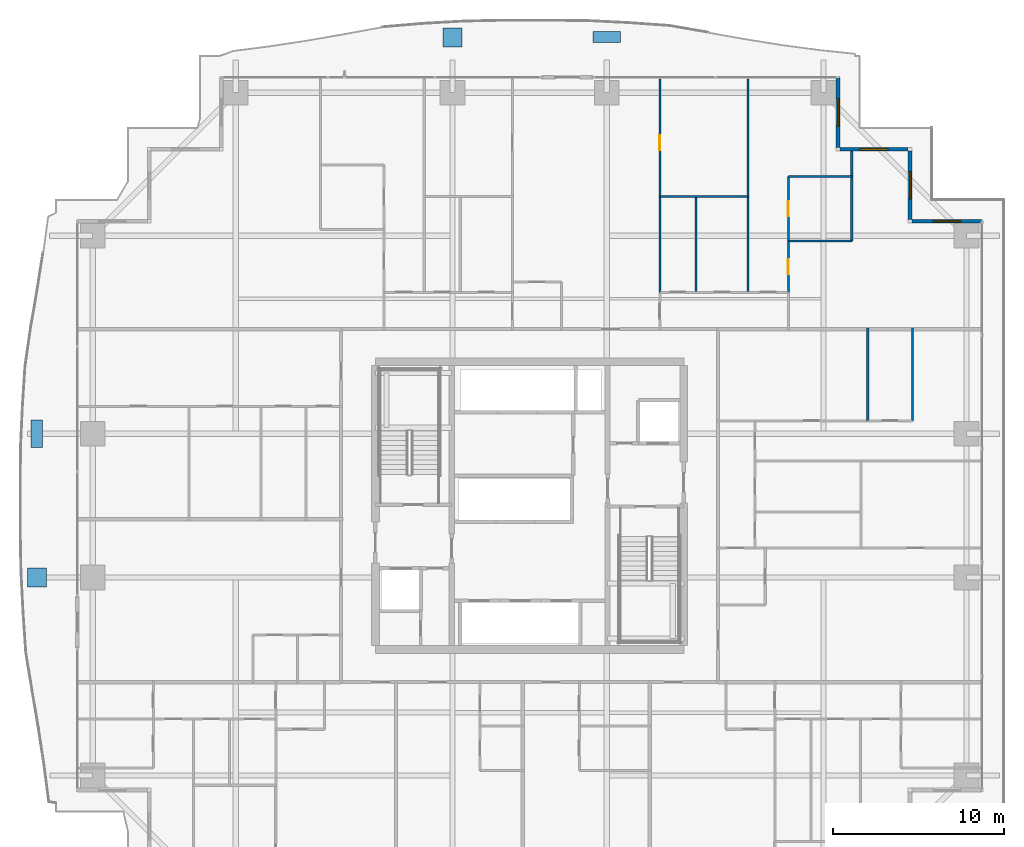
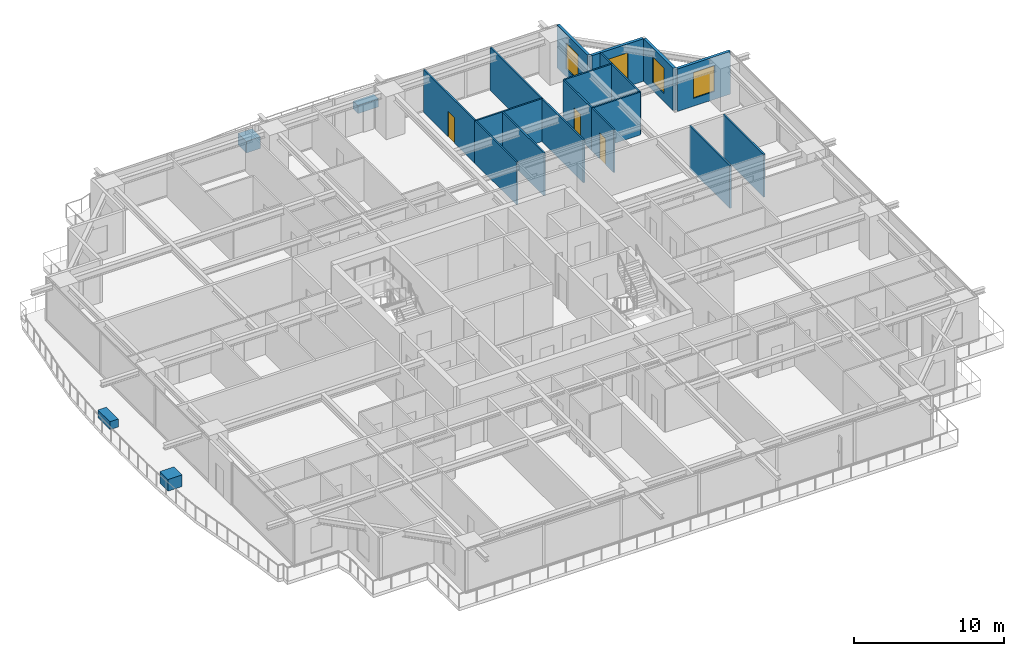
# One storey, part 28 of 36: 16 walls, 4 discrete accessories, 4 windows, 3 doors, 7 openings.
"""IFC4 building model written with IfcOpenShell, lengths in metres."""

from ifc_helpers import new_model, si_unit, direction, frame, frame_2d, origin, origin_2d, place, context, subcontext, project, spatial, rectangle, extrude, source, transform, mapped, material, layer, layer_set, type_object, element, fill, save


model = new_model("IFC4")

# Units and contexts
model_context = context("Model", 3, precision=1e-05, world=origin(), true_north=direction((0.0, 1.0)))
body_context = subcontext(model_context, "Body", "Model", "MODEL_VIEW")
ifc_project = project(units=[si_unit("LENGTHUNIT", "METRE"), si_unit("AREAUNIT", "SQUARE_METRE"), si_unit("VOLUMEUNIT", "CUBIC_METRE"), si_unit("PLANEANGLEUNIT", "RADIAN"), si_unit("MASSUNIT", "GRAM", prefix="KILO")], contexts=[model_context])

# Site, building, storey
site_placement = place(None, origin())
site = spatial("IfcSite", under=ifc_project, at=site_placement, CompositionType="ELEMENT")
building_placement = place(site_placement, origin())
building = spatial("IfcBuilding", under=site, at=building_placement, Name="Serunith Strait Residences", CompositionType="ELEMENT")
storey_placement = place(building_placement, frame((0.0, 0.0, 86.699951171875)))
storey = spatial("IfcBuildingStorey", under=building, at=storey_placement, Name="L21", CompositionType="ELEMENT", Elevation=86.699951171875)

# Wall, opening, window
ifc_material_1 = material(Name="Pale-Champagne Aluminium Insulated Panel", Category="aluminium")
ifc_layer_1 = layer(ifc_material_1, 0.219970703125, Name="Pale-Champagne Aluminium Insulated Panel")
ifc_layer_set_1 = layer_set([ifc_layer_1], Name="Pale-Champagne Aluminium Insulated Panel")
wall_type_1 = type_object("IfcWallType", Name="EW-ALUM-220", PredefinedType="ELEMENTEDWALL", material=ifc_layer_set_1)
wall_1_placement = place(storey_placement, frame((58.800048828125, 41.800048828125, 0.0), z_axis=(0.0, 0.0, 1.0), x_axis=(-1.0, 0.0, 0.0)))
wall_1 = element("IfcWall", 1, at=wall_1_placement, inside=storey, type_object=wall_type_1, Name="L21 Girih Serrated Corner Wall 07", PredefinedType="ELEMENTEDWALL", context=body_context, shape_type="SweptSolid", body=[
    extrude(rectangle(XDim=4.090087890625, YDim=0.219970703125, at=frame_2d((2.044921875, 0.0))), origin(), (0.0, 0.0, 1.0), 3.47509765625),
])
opening_1_placement = place(wall_1_placement, frame((1.2451171875, 0.0, 0.64990234375)))
opening_1 = element("IfcOpeningElement", 2, at=opening_1_placement, cuts=wall_1, Name="Opening W-02", PredefinedType="OPENING", context=body_context, shape_type="SweptSolid", body=[
    extrude(rectangle(XDim=1.60009765625, YDim=2.10009765625, at=frame_2d((0.800048828125, 1.050048828125))), frame((0.0, 0.1201171875, 0.0), z_axis=(0.0, -1.0, 0.0), x_axis=(1.0, 0.0, 0.0)), (0.0, 0.0, 1.0), 0.239990234375),
])
ifc_material_2 = material(Name="Ceramic-Fritted Operable Aluminium Window Glass", Category="aluminium")
window_type = type_object("IfcWindowType", Name="WIN-C2", PartitioningType="DOUBLE_PANEL_VERTICAL", PredefinedType="WINDOW", material=ifc_material_2)
shared_shape_1 = source(origin(), body_context, "Body", "SweptSolid", [
    extrude(rectangle(XDim=1.60009765625, YDim=2.10009765625, at=frame_2d((0.800048828125, 1.050048828125))), frame((0.0, 0.030029296875, 0.0), z_axis=(0.0, -1.0, 0.0), x_axis=(1.0, 0.0, 0.0)), (0.0, 0.0, 1.0), 0.06005859375),
])
window_1_placement = place(opening_1_placement, origin())
window_1 = element("IfcWindow", 3, at=window_1_placement, inside=storey, type_object=window_type, Name="L21 Corner Operable Fritted Window 07", OverallHeight=2.10009765625, OverallWidth=1.60009765625, PartitioningType="SINGLE_PANEL", PredefinedType="WINDOW", context=body_context, shape_type="MappedRepresentation", body=[
    mapped(shared_shape_1, transform((0.0, 0.0, 0.0), scale=1.0)),
])
fill(opening_1, window_1)

wall_2_placement = place(storey_placement, frame((54.60009765625, 41.909912109375, 0.0), z_axis=(0.0, 0.0, 1.0), x_axis=(0.0, 1.0, 0.0)))
wall_2 = element("IfcWall", 4, at=wall_2_placement, inside=storey, type_object=wall_type_1, Name="L21 Girih Serrated Corner Wall 08", PredefinedType="ELEMENTEDWALL", context=body_context, shape_type="SweptSolid", body=[
    extrude(rectangle(XDim=3.97998046875, YDim=0.219970703125, at=frame_2d((1.989990234375, 0.0))), origin(), (0.0, 0.0, 1.0), 3.47509765625),
])
opening_2_placement = place(wall_2_placement, frame((1.18994140625, 0.0, 0.64990234375)))
opening_2 = element("IfcOpeningElement", 5, at=opening_2_placement, cuts=wall_2, Name="Opening W-02", PredefinedType="OPENING", context=body_context, shape_type="SweptSolid", body=[
    extrude(rectangle(XDim=1.60009765625, YDim=2.10009765625, at=frame_2d((0.800048828125, 1.050048828125))), frame((0.0, 0.1201171875, 0.0), z_axis=(0.0, -1.0, 0.0), x_axis=(1.0, 0.0, 0.0)), (0.0, 0.0, 1.0), 0.239990234375),
])
window_2_placement = place(opening_2_placement, origin())
window_2 = element("IfcWindow", 6, at=window_2_placement, inside=storey, type_object=window_type, Name="L21 Corner Operable Fritted Window 08", OverallHeight=2.10009765625, OverallWidth=1.60009765625, PartitioningType="SINGLE_PANEL", PredefinedType="WINDOW", context=body_context, shape_type="MappedRepresentation", body=[
    mapped(shared_shape_1, transform((0.0, 0.0, 0.0), scale=1.0)),
])
fill(opening_2, window_2)

wall_3_placement = place(storey_placement, frame((54.489990234375, 46.0, 0.0), z_axis=(0.0, 0.0, 1.0), x_axis=(-1.0, 0.0, 0.0)))
wall_3 = element("IfcWall", 7, at=wall_3_placement, inside=storey, type_object=wall_type_1, Name="L21 Girih Serrated Corner Wall 09", PredefinedType="ELEMENTEDWALL", context=body_context, shape_type="SweptSolid", body=[
    extrude(rectangle(XDim=3.97998046875, YDim=0.219970703125, at=frame_2d((1.989990234375, 0.0))), origin(), (0.0, 0.0, 1.0), 3.47509765625),
])
opening_3_placement = place(wall_3_placement, frame((1.18994140625, 0.0, 0.64990234375)))
opening_3 = element("IfcOpeningElement", 8, at=opening_3_placement, cuts=wall_3, Name="Opening W-02", PredefinedType="OPENING", context=body_context, shape_type="SweptSolid", body=[
    extrude(rectangle(XDim=1.60009765625, YDim=2.10009765625, at=frame_2d((0.800048828125, 1.050048828125))), frame((0.0, 0.1201171875, 0.0), z_axis=(0.0, -1.0, 0.0), x_axis=(1.0, 0.0, 0.0)), (0.0, 0.0, 1.0), 0.239990234375),
])
window_3_placement = place(opening_3_placement, origin())
window_3 = element("IfcWindow", 9, at=window_3_placement, inside=storey, type_object=window_type, Name="L21 Corner Operable Fritted Window 09", OverallHeight=2.10009765625, OverallWidth=1.60009765625, PartitioningType="SINGLE_PANEL", PredefinedType="WINDOW", context=body_context, shape_type="MappedRepresentation", body=[
    mapped(shared_shape_1, transform((0.0, 0.0, 0.0), scale=1.0)),
])
fill(opening_3, window_3)

wall_4_placement = place(storey_placement, frame((50.39990234375, 46.110107421875, 0.0), z_axis=(0.0, 0.0, 1.0), x_axis=(0.0, 1.0, 0.0)))
wall_4 = element("IfcWall", 10, at=wall_4_placement, inside=storey, type_object=wall_type_1, Name="L21 Girih Serrated Corner Wall 10", PredefinedType="ELEMENTEDWALL", context=body_context, shape_type="SweptSolid", body=[
    extrude(rectangle(XDim=4.08984375, YDim=0.219970703125, at=frame_2d((2.044921875, 0.0))), origin(), (0.0, 0.0, 1.0), 3.47509765625),
])
opening_4_placement = place(wall_4_placement, frame((1.2451171875, 0.0, 0.64990234375)))
opening_4 = element("IfcOpeningElement", 11, at=opening_4_placement, cuts=wall_4, Name="Opening W-02", PredefinedType="OPENING", context=body_context, shape_type="SweptSolid", body=[
    extrude(rectangle(XDim=1.60009765625, YDim=2.10009765625, at=frame_2d((0.800048828125, 1.050048828125))), frame((0.0, 0.1201171875, 0.0), z_axis=(0.0, -1.0, 0.0), x_axis=(1.0, 0.0, 0.0)), (0.0, 0.0, 1.0), 0.239990234375),
])
window_4_placement = place(opening_4_placement, origin())
window_4 = element("IfcWindow", 12, at=window_4_placement, inside=storey, type_object=window_type, Name="L21 Corner Operable Fritted Window 10", OverallHeight=2.10009765625, OverallWidth=1.60009765625, PartitioningType="SINGLE_PANEL", PredefinedType="WINDOW", context=body_context, shape_type="MappedRepresentation", body=[
    mapped(shared_shape_1, transform((0.0, 0.0, 0.0), scale=1.0)),
])
fill(opening_4, window_4)

# Wall, opening, door
ifc_material_3 = material(Name="Lightweight steel-stud gypsum partition", Category="steel")
ifc_layer_2 = layer(ifc_material_3, 0.1201171875, Name="Lightweight steel-stud gypsum partition")
ifc_layer_set_2 = layer_set([ifc_layer_2], Name="Lightweight steel-stud gypsum partition")
wall_type_2 = type_object("IfcWallType", Name="IW-PART-120", PredefinedType="PARTITIONING", material=ifc_layer_set_2)
wall_5_placement = place(storey_placement, frame((40.0, 50.10498046875, 0.0), z_axis=(0.0, 0.0, 1.0), x_axis=(0.0, -1.0, 0.0)))
wall_5 = element("IfcWall", 13, at=wall_5_placement, inside=storey, type_object=wall_type_2, Name="L21 Partition Wall 082", PredefinedType="PARTITIONING", context=body_context, shape_type="SweptSolid", body=[
    extrude(rectangle(XDim=6.85107421875, YDim=0.1201171875, at=frame_2d((3.425537109375, 0.0))), origin(), (0.0, 0.0, 1.0), 3.489990234375),
])
opening_5_placement = place(wall_5_placement, frame((3.27294921875, 0.0, 0.0)))
opening_5 = element("IfcOpeningElement", 14, at=opening_5_placement, cuts=wall_5, Name="Opening D-RM900", PredefinedType="OPENING", context=body_context, shape_type="SweptSolid", body=[
    extrude(rectangle(XDim=0.89990234375, YDim=2.10009765625, at=frame_2d((0.449951171875, 1.050048828125))), frame((0.0, 0.070068359375, 0.0), z_axis=(0.0, -1.0, 0.0), x_axis=(1.0, 0.0, 0.0)), (0.0, 0.0, 1.0), 0.14013671875),
])
ifc_material_4 = material(Name="Engineered timber flush bedroom door", Category="wood")
door_type_1 = type_object("IfcDoorType", Name="ID-ROOM-900", OperationType="NOTDEFINED", PredefinedType="DOOR", material=ifc_material_4)
shared_shape_2 = source(origin(), body_context, "Body", "SweptSolid", [
    extrude(rectangle(XDim=0.89990234375, YDim=2.10009765625, at=frame_2d((0.449951171875, 1.050048828125))), frame((0.0, 0.02490234375, 0.0), z_axis=(0.0, -1.0, 0.0), x_axis=(1.0, 0.0, 0.0)), (0.0, 0.0, 1.0), 0.050048828125),
])
door_1_placement = place(opening_5_placement, origin())
door_1 = element("IfcDoor", 15, at=door_1_placement, inside=storey, type_object=door_type_1, Name="L21 Formal Dining Room 3 2105 Door", OperationType="SINGLE_SWING_RIGHT", OverallHeight=2.10009765625, OverallWidth=0.89990234375, PredefinedType="DOOR", context=body_context, shape_type="MappedRepresentation", body=[
    mapped(shared_shape_2, transform((0.0, 0.0, 0.0), scale=1.0)),
])
fill(opening_5, door_1)

# Walls
wall_6_placement = place(storey_placement, frame((40.0, 43.251953125, 0.0), z_axis=(0.0, 0.0, 1.0), x_axis=(0.0, -1.0, 0.0)))
element("IfcWall", 16, at=wall_6_placement, inside=storey, type_object=wall_type_2, Name="L21 Partition Wall 083", PredefinedType="PARTITIONING", context=body_context, shape_type="SweptSolid", body=[
    extrude(rectangle(XDim=5.599853515625, YDim=0.1201171875, at=frame_2d((2.7998046875, 0.0))), origin(), (0.0, 0.0, 1.0), 3.489990234375),
])
wall_7_placement = place(storey_placement, frame((40.0, 43.25390625, 0.0), z_axis=(0.0, 0.0, 1.0), x_axis=(1.0, 0.0, 0.0)))
element("IfcWall", 17, at=wall_7_placement, inside=storey, type_object=wall_type_2, Name="L21 Partition Wall 084", PredefinedType="PARTITIONING", context=body_context, shape_type="SweptSolid", body=[
    extrude(rectangle(XDim=5.14990234375, YDim=0.1201171875, at=frame_2d((2.574951171875, 0.0))), origin(), (0.0, 0.0, 1.0), 3.489990234375),
])
wall_8_placement = place(storey_placement, frame((45.14990234375, 50.10498046875, 0.0), z_axis=(0.0, 0.0, 1.0), x_axis=(0.0, -1.0, 0.0)))
element("IfcWall", 18, at=wall_8_placement, inside=storey, type_object=wall_type_2, Name="L21 Partition Wall 085", PredefinedType="PARTITIONING", context=body_context, shape_type="SweptSolid", body=[
    extrude(rectangle(XDim=12.455078125, YDim=0.1201171875, at=frame_2d((6.2275390625, 0.0))), origin(), (0.0, 0.0, 1.0), 3.489990234375),
])
wall_9_placement = place(storey_placement, frame((42.10009765625, 43.25390625, 0.0), z_axis=(0.0, 0.0, 1.0), x_axis=(0.0, -1.0, 0.0)))
element("IfcWall", 19, at=wall_9_placement, inside=storey, type_object=wall_type_2, Name="L21 Partition Wall 086", PredefinedType="PARTITIONING", context=body_context, shape_type="SweptSolid", body=[
    extrude(rectangle(XDim=5.60400390625, YDim=0.1201171875, at=frame_2d((2.802001953125, 0.0))), origin(), (0.0, 0.0, 1.0), 3.489990234375),
])
wall_10_placement = place(storey_placement, frame((47.5, 44.422119140625, 0.0), z_axis=(0.0, 0.0, 1.0), x_axis=(1.0, 0.0, 0.0)))
element("IfcWall", 20, at=wall_10_placement, inside=storey, type_object=wall_type_2, Name="L21 Partition Wall 090", PredefinedType="PARTITIONING", context=body_context, shape_type="SweptSolid", body=[
    extrude(rectangle(XDim=3.699951171875, YDim=0.1201171875, at=frame_2d((1.85009765625, 0.0))), origin(), (0.0, 0.0, 1.0), 3.489990234375),
])
wall_11_placement = place(storey_placement, frame((51.199951171875, 45.905029296875, 0.0), z_axis=(0.0, 0.0, 1.0), x_axis=(0.0, -1.0, 0.0)))
element("IfcWall", 21, at=wall_11_placement, inside=storey, type_object=wall_type_2, Name="L21 Partition Wall 091", PredefinedType="PARTITIONING", context=body_context, shape_type="SweptSolid", body=[
    extrude(rectangle(XDim=5.26708984375, YDim=0.1201171875, at=frame_2d((2.633544921875, 0.0))), origin(), (0.0, 0.0, 1.0), 3.489990234375),
])
wall_12_placement = place(storey_placement, frame((47.5, 40.637939453125, 0.0), z_axis=(0.0, 0.0, 1.0), x_axis=(1.0, 0.0, 0.0)))
element("IfcWall", 22, at=wall_12_placement, inside=storey, type_object=wall_type_2, Name="L21 Partition Wall 092", PredefinedType="PARTITIONING", context=body_context, shape_type="SweptSolid", body=[
    extrude(rectangle(XDim=3.699951171875, YDim=0.1201171875, at=frame_2d((1.85009765625, 0.0))), origin(), (0.0, 0.0, 1.0), 3.489990234375),
])

# Wall, opening, door
wall_13_placement = place(storey_placement, frame((47.5, 44.422119140625, 0.0), z_axis=(0.0, 0.0, 1.0), x_axis=(0.0, -1.0, 0.0)))
wall_13 = element("IfcWall", 23, at=wall_13_placement, inside=storey, type_object=wall_type_2, Name="L21 Partition Wall 093", PredefinedType="PARTITIONING", context=body_context, shape_type="SweptSolid", body=[
    extrude(rectangle(XDim=3.7841796875, YDim=0.1201171875, at=frame_2d((1.89208984375, 0.0))), origin(), (0.0, 0.0, 1.0), 3.489990234375),
])
opening_6_placement = place(wall_13_placement, frame((1.467041015625, 0.0, 0.0)))
opening_6 = element("IfcOpeningElement", 24, at=opening_6_placement, cuts=wall_13, Name="Opening D-BTH850", PredefinedType="OPENING", context=body_context, shape_type="SweptSolid", body=[
    extrude(rectangle(XDim=0.85009765625, YDim=2.10009765625, at=frame_2d((0.425048828125, 1.050048828125))), frame((0.0, 0.070068359375, 0.0), z_axis=(0.0, -1.0, 0.0), x_axis=(1.0, 0.0, 0.0)), (0.0, 0.0, 1.0), 0.14013671875),
])
ifc_material_5 = material(Name="Moisture-resistant timber bathroom door", Category="wood")
door_type_2 = type_object("IfcDoorType", Name="ID-BATH-850", OperationType="NOTDEFINED", PredefinedType="DOOR", material=ifc_material_5)
shared_shape_3 = source(origin(), body_context, "Body", "SweptSolid", [
    extrude(rectangle(XDim=0.85009765625, YDim=2.10009765625, at=frame_2d((0.425048828125, 1.050048828125))), frame((0.0, 0.02490234375, 0.0), z_axis=(0.0, -1.0, 0.0), x_axis=(1.0, 0.0, 0.0)), (0.0, 0.0, 1.0), 0.050048828125),
])
door_2_placement = place(opening_6_placement, origin())
door_2 = element("IfcDoor", 25, at=door_2_placement, inside=storey, type_object=door_type_2, Name="L21 En-suite Bathroom E 2105 Door", OperationType="SINGLE_SWING_RIGHT", OverallHeight=2.10009765625, OverallWidth=0.85009765625, PredefinedType="DOOR", context=body_context, shape_type="MappedRepresentation", body=[
    mapped(shared_shape_3, transform((0.0, 0.0, 0.0), scale=1.0)),
])
fill(opening_6, door_2)

wall_14_placement = place(storey_placement, frame((47.5, 40.635986328125, 0.0), z_axis=(0.0, 0.0, 1.0), x_axis=(0.0, -1.0, 0.0)))
wall_14 = element("IfcWall", 26, at=wall_14_placement, inside=storey, type_object=wall_type_2, Name="L21 Partition Wall 094", PredefinedType="PARTITIONING", context=body_context, shape_type="SweptSolid", body=[
    extrude(rectangle(XDim=2.986083984375, YDim=0.1201171875, at=frame_2d((1.4931640625, 0.0))), origin(), (0.0, 0.0, 1.0), 3.489990234375),
])
opening_7_placement = place(wall_14_placement, frame((1.068115234375, 0.0, 0.0)))
opening_7 = element("IfcOpeningElement", 27, at=opening_7_placement, cuts=wall_14, Name="Opening D-RM850", PredefinedType="OPENING", context=body_context, shape_type="SweptSolid", body=[
    extrude(rectangle(XDim=0.85009765625, YDim=2.10009765625, at=frame_2d((0.425048828125, 1.050048828125))), frame((0.0, 0.070068359375, 0.0), z_axis=(0.0, -1.0, 0.0), x_axis=(1.0, 0.0, 0.0)), (0.0, 0.0, 1.0), 0.14013671875),
])
ifc_material_6 = material(Name="Engineered timber flush study and kitchen door", Category="wood")
door_type_3 = type_object("IfcDoorType", Name="ID-ROOM-850", OperationType="NOTDEFINED", PredefinedType="DOOR", material=ifc_material_6)
door_3_placement = place(opening_7_placement, origin())
door_3 = element("IfcDoor", 28, at=door_3_placement, inside=storey, type_object=door_type_3, Name="L21 Wardrobe E 2105 Door", OperationType="SINGLE_SWING_LEFT", OverallHeight=2.10009765625, OverallWidth=0.85009765625, PredefinedType="DOOR", context=body_context, shape_type="MappedRepresentation", body=[
    mapped(shared_shape_3, transform((0.0, 0.0, 0.0), scale=1.0)),
])
fill(opening_7, door_3)

# Walls
for number, where, z_axis, x_axis, name in (
    (29, (54.75, 30.14990234375, 0.0), (0.0, 0.0, 1.0), (0.0, 1.0, 0.0), "L21 Partition Wall 118"),
    (30, (52.133056640625, 30.14990234375, 0.0), (0.0, 0.0, 1.0), (0.0, 1.0, 0.0), "L21 Partition Wall 119"),
):
    element("IfcWall", number, at=place(storey_placement, frame(where, z_axis=z_axis, x_axis=x_axis)), inside=storey, type_object=wall_type_2, Name=name, PredefinedType="PARTITIONING", context=body_context, shape_type="SweptSolid", body=[
        extrude(rectangle(XDim=5.41015625, YDim=0.1201171875, at=frame_2d((2.705078125, 0.0))), origin(), (0.0, 0.0, 1.0), 3.489990234375),
    ])

# Discrete accessories
ifc_material_7 = material(Name="GFRC Root-Anchored Structural Planter")
discrete_accessory_type_1 = type_object("IfcDiscreteAccessoryType", Name="ACC-PLANTER-TREE", PredefinedType="USERDEFINED", material=ifc_material_7)
shared_shape_4 = source(origin(), body_context, "Body", "SweptSolid", [
    extrude(rectangle(XDim=1.10009765625, YDim=1.10009765625, at=origin_2d()), origin(), (0.0, 0.0, 1.0), 0.949951171875),
])
for number, where, z_axis, x_axis, name in (
    (31, (27.89990234375, 52.531982421875, -0.0498046875), (0.0, 0.0, 1.0), (-1.0, 0.0, 0.0), "L21 Vertical-Forest Tree Planter 06"),
    (32, (3.6416015625, 21.0, -0.0498046875), (0.0, 0.0, 1.0), (0.0, -1.0, 0.0), "L21 Vertical-Forest Tree Planter 14"),
):
    element("IfcDiscreteAccessory", number, at=place(storey_placement, frame(where, z_axis=z_axis, x_axis=x_axis)), inside=storey, type_object=discrete_accessory_type_1, Name=name, ObjectType="PLANTER", PredefinedType="USERDEFINED", context=body_context, shape_type="MappedRepresentation", body=[
        mapped(shared_shape_4, transform((0.0, 0.0, 0.0), scale=1.0)),
    ])
ifc_material_8 = material(Name="GFRC Irrigated Shrub Trough Planter")
discrete_accessory_type_2 = type_object("IfcDiscreteAccessoryType", Name="ACC-PLANTER-SHRUB", PredefinedType="USERDEFINED", material=ifc_material_8)
shared_shape_5 = source(origin(), body_context, "Body", "SweptSolid", [
    extrude(rectangle(XDim=1.60009765625, YDim=0.64990234375, at=origin_2d()), origin(), (0.0, 0.0, 1.0), 0.64990234375),
])
for number, where, z_axis, x_axis, name in (
    (33, (36.89990234375, 52.5419921875, -0.0498046875), (0.0, 0.0, 1.0), (-1.0, 0.0, 0.0), "L21 Vertical-Forest Shrub Planter 07"),
    (34, (3.6337890625, 29.39990234375, -0.0498046875), (0.0, 0.0, 1.0), (0.0, -1.0, 0.0), "L21 Vertical-Forest Shrub Planter 15"),
):
    element("IfcDiscreteAccessory", number, at=place(storey_placement, frame(where, z_axis=z_axis, x_axis=x_axis)), inside=storey, type_object=discrete_accessory_type_2, Name=name, ObjectType="PLANTER", PredefinedType="USERDEFINED", context=body_context, shape_type="MappedRepresentation", body=[
        mapped(shared_shape_5, transform((0.0, 0.0, 0.0), scale=1.0)),
    ])

save(model, "model.ifc")
